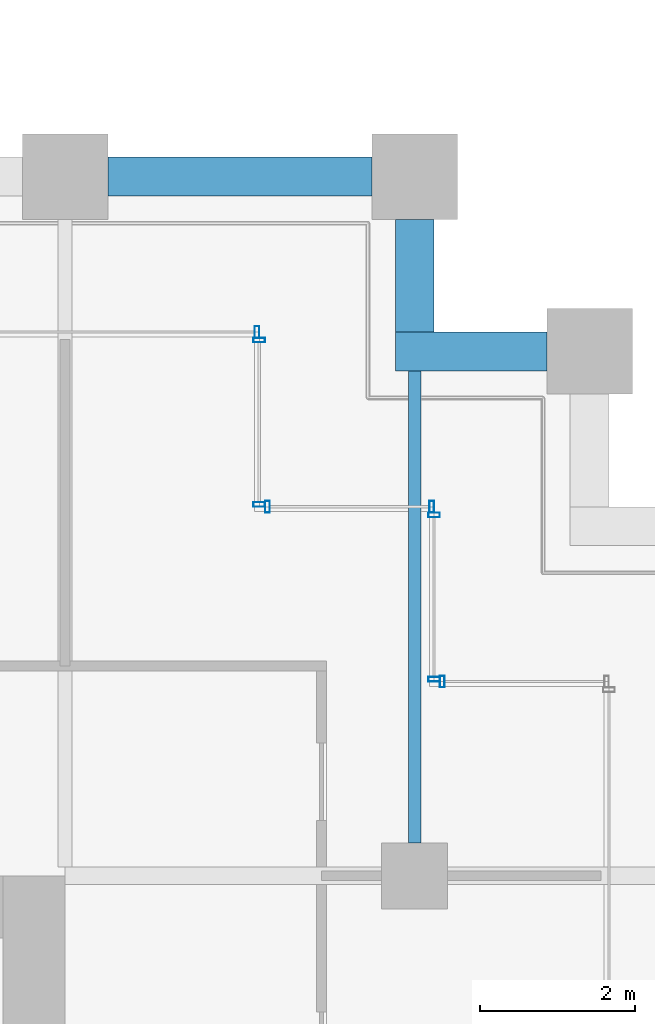
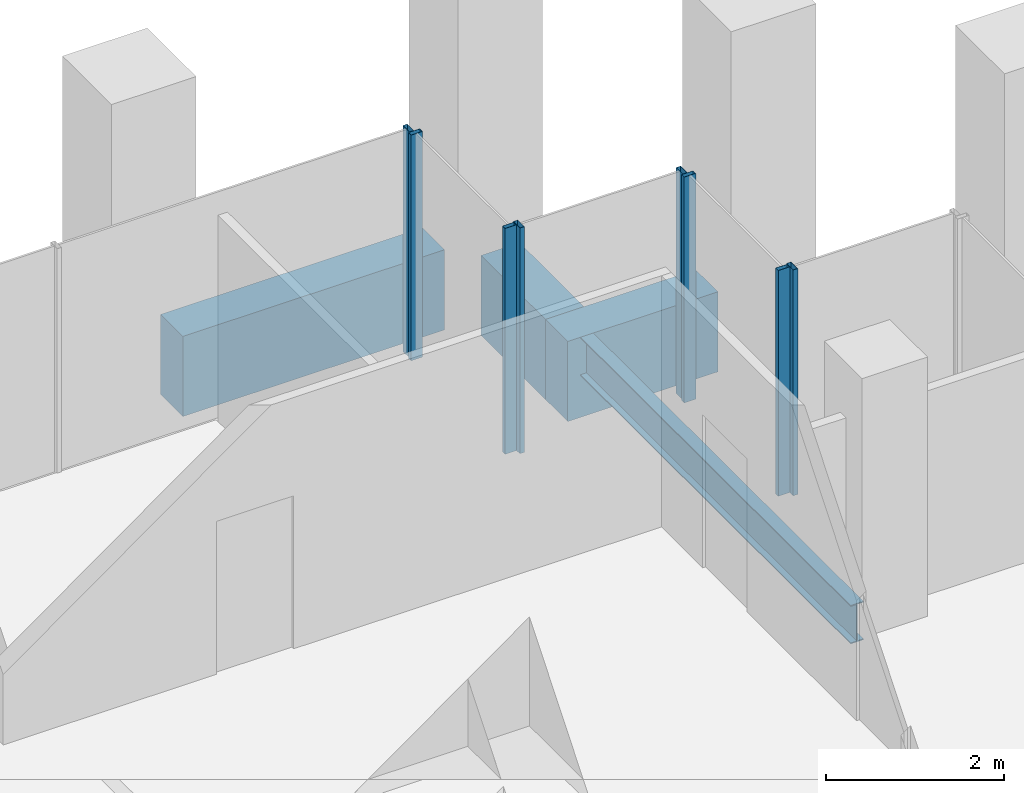
# One storey, part 45 of 56: 8 members, 4 beams, 5 elements without a shape of their own.
"""IFC4 building model written with IfcOpenShell, lengths in metres."""

from ifc_helpers import new_model, si_unit, direction, frame, origin, origin_2d, place, context, subcontext, project, spatial, rectangle, hollow_rectangle, i_section, extrude, material, material_profile, profile_set, type_object, element, aggregate, save


model = new_model("IFC4")

# Units and contexts
model_context = context("Model", 3, precision=1e-05, world=origin(), true_north=direction((0.0, 1.0)))
body_context = subcontext(model_context, "Body", "Model", "MODEL_VIEW")
ifc_project = project(units=[si_unit("LENGTHUNIT", "METRE"), si_unit("AREAUNIT", "SQUARE_METRE"), si_unit("VOLUMEUNIT", "CUBIC_METRE"), si_unit("PLANEANGLEUNIT", "RADIAN"), si_unit("MASSUNIT", "GRAM", prefix="KILO")], contexts=[model_context])

# Site, building, storey
site_placement = place(None, origin())
site = spatial("IfcSite", under=ifc_project, at=site_placement, CompositionType="ELEMENT")
building_placement = place(site_placement, origin())
building = spatial("IfcBuilding", under=site, at=building_placement, Name="Altepetl Exchange Towers", CompositionType="ELEMENT")
storey_placement = place(building_placement, frame((0.0, 0.0, 54.60009765625)))
storey = spatial("IfcBuildingStorey", under=building, at=storey_placement, Name="L12", CompositionType="ELEMENT", Elevation=54.60009765625)

# Beam
ifc_material_1 = material(Name="Steel S355", Category="steel")
ifc_material_profile_1 = material_profile(ifc_material_1, i_section(OverallWidth=0.166015625, OverallDepth=0.529052734375, WebThickness=0.009765625, FlangeThickness=0.013671875, at=origin_2d()), Name="W21X50")
ifc_profile_set_1 = profile_set([ifc_material_profile_1], Name="Steel S355")
beam_type_1 = type_object("IfcBeamType", Name="Floor beam W21X50", PredefinedType="BEAM", material=ifc_profile_set_1)
beam_1_placement = place(storey_placement, frame((121.5, 49.925048828125, -0.41455078125), z_axis=(0.0, 1.0, 0.0), x_axis=(-1.0, 0.0, 0.0)))
element("IfcBeam", 1, at=beam_1_placement, inside=storey, type_object=beam_type_1, Name="bm:B:L12:003", PredefinedType="BEAM", context=body_context, shape_type="SweptSolid", body=[
    extrude(i_section(OverallWidth=0.166015625, OverallDepth=0.529052734375, WebThickness=0.009765625, FlangeThickness=0.013671875, at=origin_2d()), origin(), (0.0, 0.0, 1.0), 6.074951171875),
])

# Curtain wall, member
ifc_material_2 = material(Name="Aluminium 6063-T6 glazing", Category="aluminium")
curtain_wall_type = type_object("IfcCurtainWallType", Name="Loggia glazing system", PredefinedType="NOTDEFINED", material=ifc_material_2)
curtain_wall_1_placement = place(storey_placement, origin())
curtain_wall_1 = element("IfcCurtainWall", 2, at=curtain_wall_1_placement, inside=storey, type_object=curtain_wall_type, Name="CW1 run", PredefinedType="NOTDEFINED")
ifc_material_3 = material(Name="Aluminium 6063-T6", Category="aluminium")
ifc_material_profile_2 = material_profile(ifc_material_3, hollow_rectangle(XDim=0.06005859375, YDim=0.14990234375, WallThickness=0.0029296875, at=origin_2d()), Name="Mullion 60x150 aluminium")
ifc_profile_set_2 = profile_set([ifc_material_profile_2], Name="Aluminium 6063-T6")
member_type = type_object("IfcMemberType", Name="Mullion 60x150 aluminium", PredefinedType="MULLION", material=ifc_profile_set_2)
member_1_placement = place(storey_placement, frame((121.85498046875, 52.0, 0.0), z_axis=(0.0, 0.0, 1.0), x_axis=(-1.0, 0.0, 0.0)))
member_1 = element("IfcMember", 3, at=member_1_placement, type_object=member_type, Name="MU1 mullion", PredefinedType="MULLION", context=body_context, shape_type="SweptSolid", body=[
    extrude(hollow_rectangle(XDim=0.06005859375, YDim=0.14990234375, WallThickness=0.0029296875, at=origin_2d()), origin(), (0.0, 0.0, 1.0), 3.099853515625),
])
aggregate(curtain_wall_1, [member_1])

# Curtain wall, members
curtain_wall_2_placement = place(storey_placement, origin())
curtain_wall_2 = element("IfcCurtainWall", 4, at=curtain_wall_2_placement, inside=storey, type_object=curtain_wall_type, Name="CW1 run", PredefinedType="NOTDEFINED")
member_2_placement = place(storey_placement, frame((121.75, 52.030029296875, 0.0), z_axis=(0.0, 0.0, 1.0), x_axis=(0.0, 1.0, 0.0)))
member_2 = element("IfcMember", 5, at=member_2_placement, type_object=member_type, Name="MU1 mullion", PredefinedType="MULLION", context=body_context, shape_type="SweptSolid", body=[
    extrude(hollow_rectangle(XDim=0.06005859375, YDim=0.14990234375, WallThickness=0.0029296875, at=origin_2d()), origin(), (0.0, 0.0, 1.0), 3.099853515625),
])
member_3_placement = place(storey_placement, frame((121.75, 54.14501953125, 0.0), z_axis=(0.0, 0.0, 1.0), x_axis=(0.0, 1.0, 0.0)))
member_3 = element("IfcMember", 6, at=member_3_placement, type_object=member_type, Name="MU1 mullion", PredefinedType="MULLION", context=body_context, shape_type="SweptSolid", body=[
    extrude(hollow_rectangle(XDim=0.06005859375, YDim=0.14990234375, WallThickness=0.0029296875, at=origin_2d()), origin(), (0.0, 0.0, 1.0), 3.099853515625),
])
aggregate(curtain_wall_2, [member_2, member_3])

curtain_wall_3_placement = place(storey_placement, origin())
curtain_wall_3 = element("IfcCurtainWall", 7, at=curtain_wall_3_placement, inside=storey, type_object=curtain_wall_type, Name="CW1 run", PredefinedType="NOTDEFINED")
member_4_placement = place(storey_placement, frame((121.719970703125, 54.25, 0.0), z_axis=(0.0, 0.0, 1.0), x_axis=(-1.0, 0.0, 0.0)))
member_4 = element("IfcMember", 8, at=member_4_placement, type_object=member_type, Name="MU1 mullion", PredefinedType="MULLION", context=body_context, shape_type="SweptSolid", body=[
    extrude(hollow_rectangle(XDim=0.06005859375, YDim=0.14990234375, WallThickness=0.0029296875, at=origin_2d()), origin(), (0.0, 0.0, 1.0), 3.099853515625),
])
member_5_placement = place(storey_placement, frame((119.60498046875, 54.25, 0.0), z_axis=(0.0, 0.0, 1.0), x_axis=(-1.0, 0.0, 0.0)))
member_5 = element("IfcMember", 9, at=member_5_placement, type_object=member_type, Name="MU1 mullion", PredefinedType="MULLION", context=body_context, shape_type="SweptSolid", body=[
    extrude(hollow_rectangle(XDim=0.06005859375, YDim=0.14990234375, WallThickness=0.0029296875, at=origin_2d()), origin(), (0.0, 0.0, 1.0), 3.099853515625),
])
aggregate(curtain_wall_3, [member_4, member_5])

curtain_wall_4_placement = place(storey_placement, origin())
curtain_wall_4 = element("IfcCurtainWall", 10, at=curtain_wall_4_placement, inside=storey, type_object=curtain_wall_type, Name="CW1 run", PredefinedType="NOTDEFINED")
member_6_placement = place(storey_placement, frame((119.5, 54.280029296875, 0.0), z_axis=(0.0, 0.0, 1.0), x_axis=(0.0, 1.0, 0.0)))
member_6 = element("IfcMember", 11, at=member_6_placement, type_object=member_type, Name="MU1 mullion", PredefinedType="MULLION", context=body_context, shape_type="SweptSolid", body=[
    extrude(hollow_rectangle(XDim=0.06005859375, YDim=0.14990234375, WallThickness=0.0029296875, at=origin_2d()), origin(), (0.0, 0.0, 1.0), 3.099853515625),
])
member_7_placement = place(storey_placement, frame((119.5, 56.39501953125, 0.0), z_axis=(0.0, 0.0, 1.0), x_axis=(0.0, 1.0, 0.0)))
member_7 = element("IfcMember", 12, at=member_7_placement, type_object=member_type, Name="MU1 mullion", PredefinedType="MULLION", context=body_context, shape_type="SweptSolid", body=[
    extrude(hollow_rectangle(XDim=0.06005859375, YDim=0.14990234375, WallThickness=0.0029296875, at=origin_2d()), origin(), (0.0, 0.0, 1.0), 3.099853515625),
])
aggregate(curtain_wall_4, [member_6, member_7])

# Curtain wall, member
curtain_wall_5_placement = place(storey_placement, origin())
curtain_wall_5 = element("IfcCurtainWall", 13, at=curtain_wall_5_placement, inside=storey, type_object=curtain_wall_type, Name="CW1 run", PredefinedType="NOTDEFINED")
member_8_placement = place(storey_placement, frame((119.469970703125, 56.5, 0.0), z_axis=(0.0, 0.0, 1.0), x_axis=(-1.0, 0.0, 0.0)))
member_8 = element("IfcMember", 14, at=member_8_placement, type_object=member_type, Name="MU1 mullion", PredefinedType="MULLION", context=body_context, shape_type="SweptSolid", body=[
    extrude(hollow_rectangle(XDim=0.06005859375, YDim=0.14990234375, WallThickness=0.0029296875, at=origin_2d()), origin(), (0.0, 0.0, 1.0), 3.099853515625),
])
aggregate(curtain_wall_5, [member_8])

# Beams
ifc_material_4 = material(Name="Concrete C50/60 precast with cantera amarilla facing", Category="concrete")
ifc_material_profile_3 = material_profile(ifc_material_4, rectangle(XDim=0.5, YDim=1.10009765625, at=origin_2d()), Name="500 x 1100")
ifc_profile_set_3 = profile_set([ifc_material_profile_3], Name="Concrete C50/60 precast with cantera amarilla facing")
beam_type_2 = type_object("IfcBeamType", Name="Spandrel beam 500x1100 cantera amarilla", PredefinedType="SPANDREL", material=ifc_profile_set_3)
beam_2_placement = place(storey_placement, frame((123.199951171875, 56.25, -0.7001953125), z_axis=(-1.0, 0.0, 0.0), x_axis=(0.0, -1.0, 0.0)))
element("IfcBeam", 15, at=beam_2_placement, inside=storey, type_object=beam_type_2, Name="sp:B:L12:016", PredefinedType="SPANDREL", context=body_context, shape_type="SweptSolid", body=[
    extrude(rectangle(XDim=0.5, YDim=1.10009765625, at=origin_2d()), origin(), (0.0, 0.0, 1.0), 1.949951171875),
])
beam_3_placement = place(storey_placement, frame((121.5, 56.5, -0.7001953125), z_axis=(0.0, 1.0, 0.0), x_axis=(-1.0, 0.0, 0.0)))
element("IfcBeam", 16, at=beam_3_placement, inside=storey, type_object=beam_type_2, Name="sp:B:L12:017", PredefinedType="SPANDREL", context=body_context, shape_type="SweptSolid", body=[
    extrude(rectangle(XDim=0.5, YDim=1.10009765625, at=origin_2d()), origin(), (0.0, 0.0, 1.0), 1.449951171875),
])
beam_4_placement = place(storey_placement, frame((120.949951171875, 58.5, -0.7001953125), z_axis=(-1.0, 0.0, 0.0), x_axis=(0.0, -1.0, 0.0)))
element("IfcBeam", 17, at=beam_4_placement, inside=storey, type_object=beam_type_2, Name="sp:B:L12:018", PredefinedType="SPANDREL", context=body_context, shape_type="SweptSolid", body=[
    extrude(rectangle(XDim=0.5, YDim=1.10009765625, at=origin_2d()), origin(), (0.0, 0.0, 1.0), 3.39990234375),
])

save(model, "model.ifc")
